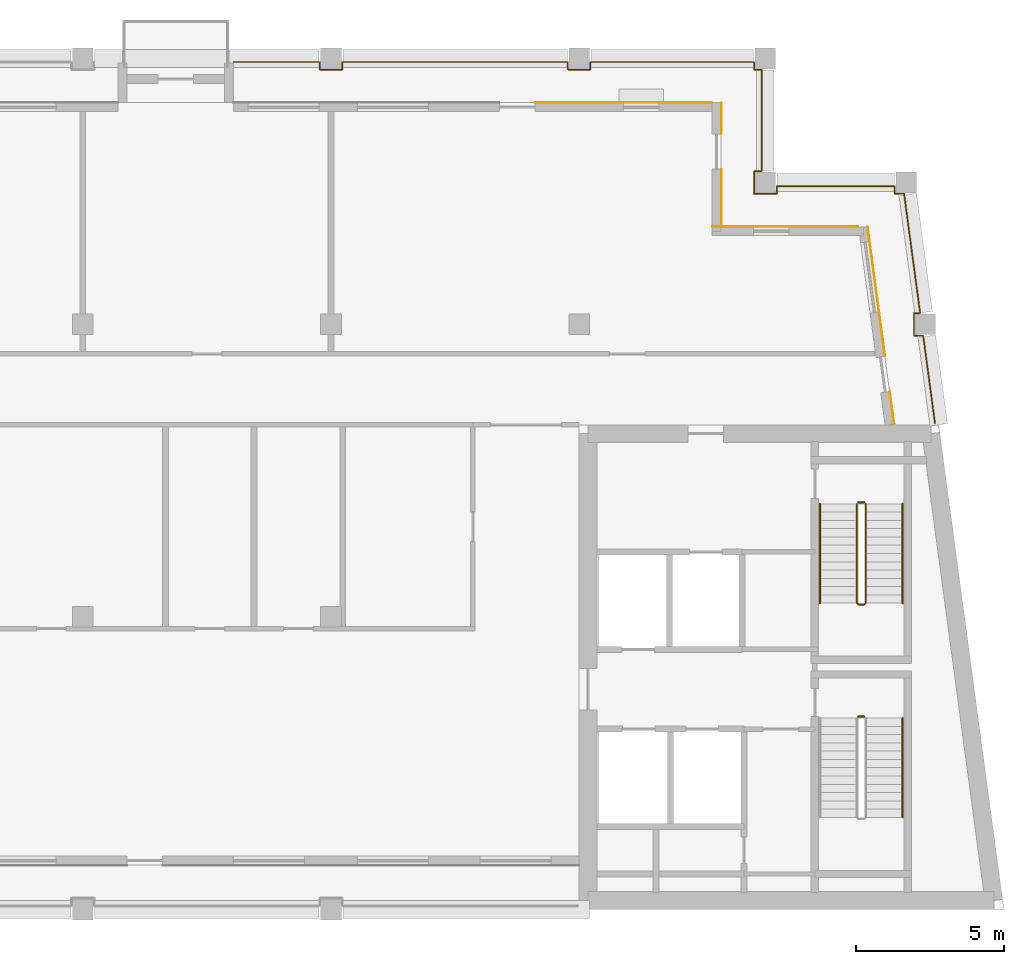
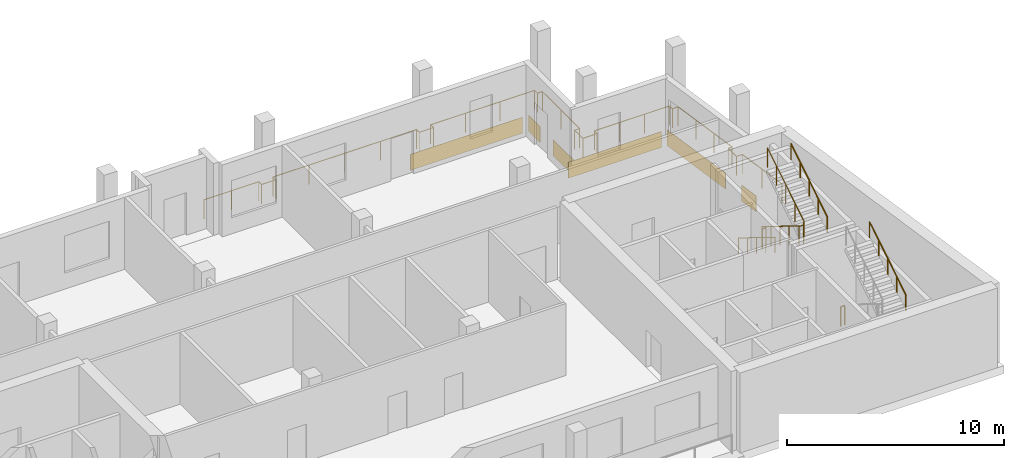
# One storey, part 8 of 9: 7 railings, 6 coverings.
"""IFC4 building model written with IfcOpenShell, lengths in metres."""

import ifcopenshell
import ifcopenshell.guid

model = None  # the IFC model being written
_history = None  # IfcOwnerHistory: only IFC2X3 demands one
_inside = {}  # id of a spatial element -> (the spatial element, [elements in it])
_under = {}  # id of a project, library or spatial element -> (it, [spatial elements below it])
_declared = {}  # id of a project -> (the project, [libraries it declares])
_typed = {}  # id of a type object -> (the type object, [elements of that type])
_made_of = {}  # id of a material, layer set ... -> (it, [elements and type objects made of it])


def new_model(schema):
    """Start an empty IFC model of exactly this schema.

    Asked for "IFC4X3", IfcOpenShell would pick the latest addendum, in which some entities
    have other attributes; the version numbers below select the first issue.
    IFC2X3 requires an IfcOwnerHistory on every rooted entity: one is made here for all.
    """
    global model, _history
    if schema == "IFC4X3":
        model = ifcopenshell.file(schema_version=(4, 3, 0, 0))
    else:
        model = ifcopenshell.file(schema=schema)
    _inside.clear()
    _under.clear()
    _declared.clear()
    _typed.clear()
    _made_of.clear()
    _history = None
    if model.schema == "IFC2X3":
        org = make("IfcOrganization", Name="unknown")
        user = make(
            "IfcPersonAndOrganization",
            ThePerson=make("IfcPerson", FamilyName="unknown"),
            TheOrganization=org,
        )
        app = make(
            "IfcApplication",
            ApplicationDeveloper=org,
            Version="unknown",
            ApplicationFullName="unknown",
            ApplicationIdentifier="unknown",
        )
        _history = make(
            "IfcOwnerHistory",
            OwningUser=user,
            OwningApplication=app,
            ChangeAction="ADDED",
            CreationDate=0,
        )
    return model


def make(cls, **values):
    """One entity of the class cls with the attributes given. An attribute that is None is left unset."""
    return model.create_entity(
        cls, **{name: value for name, value in values.items() if value is not None}
    )


def rooted(cls, **values):
    """An entity with a GlobalId (a new one), such as an element, a storey or a relation."""
    return make(cls, GlobalId=ifcopenshell.guid.new(), OwnerHistory=_history, **values)


def si_unit(unit_type, name, prefix=None):
    """IfcSIUnit, for example si_unit("LENGTHUNIT", "METRE", prefix="MILLI")."""
    return make("IfcSIUnit", UnitType=unit_type, Prefix=prefix, Name=name)


def assignment(units):
    """IfcUnitAssignment: the units of a project."""
    return None if units is None else make("IfcUnitAssignment", Units=units)


def point(xyz):
    """IfcCartesianPoint."""
    return None if xyz is None else make("IfcCartesianPoint", Coordinates=xyz)


def direction(xyz):
    """IfcDirection."""
    return None if xyz is None else make("IfcDirection", DirectionRatios=xyz)


def frame(location, z_axis=None, x_axis=None):
    """IfcAxis2Placement3D, a coordinate frame: its origin and axes. An axis left out is left unset."""
    return make(
        "IfcAxis2Placement3D",
        Location=point(location),
        Axis=direction(z_axis),
        RefDirection=direction(x_axis),
    )


def frame_2d(location, x_axis=None):
    """IfcAxis2Placement2D, a coordinate frame in the plane: its origin and x axis."""
    return make(
        "IfcAxis2Placement2D", Location=point(location), RefDirection=direction(x_axis)
    )


def origin():
    """The frame at (0, 0, 0) with its axes left unset."""
    return frame((0.0, 0.0, 0.0))


def origin_2d():
    """The frame at (0, 0) in the plane with its x axis left unset."""
    return frame_2d((0.0, 0.0))


def place(relative_to, where):
    """IfcLocalPlacement: puts the frame where relative to a parent placement (None: the world)."""
    return make(
        "IfcLocalPlacement", PlacementRelTo=relative_to, RelativePlacement=where
    )


def context(
    kind, dimensions, precision=None, world=None, true_north=None, identifier=None
):
    """IfcGeometricRepresentationContext, for example the 3D "Model" context."""
    return make(
        "IfcGeometricRepresentationContext",
        ContextIdentifier=identifier,
        ContextType=kind,
        CoordinateSpaceDimension=dimensions,
        Precision=precision,
        WorldCoordinateSystem=world,
        TrueNorth=true_north,
    )


def subcontext(parent, identifier, kind, view, scale=None):
    """IfcGeometricRepresentationSubContext, for example "Body" below "Model"."""
    return make(
        "IfcGeometricRepresentationSubContext",
        ContextIdentifier=identifier,
        ContextType=kind,
        ParentContext=parent,
        TargetScale=scale,
        TargetView=view,
    )


def project(units=None, contexts=None):
    """IfcProject with its units and contexts."""
    return rooted(
        "IfcProject",
        Name="project",
        RepresentationContexts=contexts,
        UnitsInContext=assignment(units),
    )


def spatial(cls, under=None, at=None, **own):
    """A site, building, storey or space (cls), placed at a placement, below another one or the project."""
    s = rooted(cls, ObjectPlacement=at, **own)
    if under is not None:
        _under.setdefault(under.id(), (under, []))[1].append(s)
    return s


def profile(cls, at=None, kind="AREA", **sizes):
    """A parametric profile (cls). Its sizes go by their IFC names, for example OverallWidth=200.0."""
    return make(cls, ProfileType=kind, Position=at, **sizes)


def rectangle(**sizes):
    """IfcRectangleProfileDef."""
    return profile("IfcRectangleProfileDef", **sizes)


def circle(**sizes):
    """IfcCircleProfileDef."""
    return profile("IfcCircleProfileDef", **sizes)


def extrude(swept, where, along, depth):
    """IfcExtrudedAreaSolid: the profile swept, set in the frame where, extruded along a direction by depth."""
    return make(
        "IfcExtrudedAreaSolid",
        SweptArea=swept,
        Position=where,
        ExtrudedDirection=direction(along),
        Depth=depth,
    )


def shape(context_of_items, identifier, shape_type, items):
    """IfcShapeRepresentation: the items that make up one representation, for example the "Body"."""
    return make(
        "IfcShapeRepresentation",
        ContextOfItems=context_of_items,
        RepresentationIdentifier=identifier,
        RepresentationType=shape_type,
        Items=items,
    )


def material(Name=None, Category=None):
    """IfcMaterial."""
    return make("IfcMaterial", Name=Name, Category=Category)


def layer(
    of_material, thickness, ventilated=None, Name=None, Category=None, Priority=None
):
    """IfcMaterialLayer: one layer of a wall or slab, of a material (None: an air gap)."""
    return make(
        "IfcMaterialLayer",
        Material=of_material,
        LayerThickness=thickness,
        IsVentilated=ventilated,
        Name=Name,
        Category=Category,
        Priority=Priority,
    )


def layer_set(layers, Name=None):
    """IfcMaterialLayerSet."""
    return make("IfcMaterialLayerSet", MaterialLayers=layers, LayerSetName=Name)


def made_of(thing, what):
    """Note that an element or type object is made of a material, layer set ...; save() writes the relation."""
    if what is not None:
        _made_of.setdefault(what.id(), (what, []))[1].append(thing)
    return thing


def type_object(cls, material=None, **own):
    """A type object (cls), such as IfcWallType, which elements share."""
    return made_of(rooted(cls, **own), material)


def element(
    cls,
    number,
    at=None,
    inside=None,
    cuts=None,
    type_object=None,
    material=None,
    context=None,
    identifier="Body",
    shape_type=None,
    held_by="IfcProductDefinitionShape",
    body=None,
    shapes=None,
    **own,
):
    """One element of the class cls, such as IfcWall. Its Tag is "e" and its number.

    at: its placement. inside: the storey or other place that contains it. cuts: it is an
    opening in that element (IfcRelVoidsElement). A single representation is given by context,
    identifier, shape_type and body (its items); several are given by shapes. held_by: the class
    of the entity that holds the representations. save() writes the other relations.
    """
    e = rooted(cls, Tag="e%d" % number, ObjectPlacement=at, **own)
    if body is not None:
        shapes = [shape(context, identifier, shape_type, body)]
    if shapes is not None:
        e.Representation = make(held_by, Representations=shapes)
    if inside is not None:
        _inside.setdefault(inside.id(), (inside, []))[1].append(e)
    if cuts is not None:
        rooted(
            "IfcRelVoidsElement", RelatingBuildingElement=cuts, RelatedOpeningElement=e
        )
    if type_object is not None:
        _typed.setdefault(type_object.id(), (type_object, []))[1].append(e)
    return made_of(e, material)


def aggregate(whole, parts):
    """IfcRelAggregates: a whole, such as a stair, and the parts it consists of."""
    return rooted("IfcRelAggregates", RelatingObject=whole, RelatedObjects=parts)


def save(model, path):
    """Write the relations noted so far, then the file.

    IfcRelAggregates (storeys below a building ...), IfcRelContainedInSpatialStructure (elements
    in a storey), IfcRelDefinesByType, IfcRelAssociatesMaterial and IfcRelDeclares: one each for
    every whole, place, type object, material and project.
    """
    for whole, parts in _under.values():
        aggregate(whole, parts)
    for where, things in _inside.values():
        rooted(
            "IfcRelContainedInSpatialStructure",
            RelatedElements=things,
            RelatingStructure=where,
        )
    for kind, things in _typed.values():
        rooted("IfcRelDefinesByType", RelatedObjects=things, RelatingType=kind)
    for what, things in _made_of.values():
        rooted("IfcRelAssociatesMaterial", RelatedObjects=things, RelatingMaterial=what)
    for by, libraries in _declared.values():
        rooted("IfcRelDeclares", RelatingContext=by, RelatedDefinitions=libraries)
    model.write(path)


model = new_model("IFC4")

# Units and contexts
model_context = context("Model", 3, precision=1e-05, world=origin(), true_north=direction((0.0, 1.0)))
body_context = subcontext(model_context, "Body", "Model", "MODEL_VIEW")
ifc_project = project(units=[si_unit("LENGTHUNIT", "METRE"), si_unit("AREAUNIT", "SQUARE_METRE"), si_unit("VOLUMEUNIT", "CUBIC_METRE"), si_unit("PLANEANGLEUNIT", "RADIAN"), si_unit("MASSUNIT", "GRAM", prefix="KILO")], contexts=[model_context])

# Site, building, storey
site_placement = place(None, origin())
site = spatial("IfcSite", under=ifc_project, at=site_placement, CompositionType="ELEMENT")
building_placement = place(site_placement, origin())
building = spatial("IfcBuilding", under=site, at=building_placement, Name="Candeia Pilgrim Tower and Theatre", CompositionType="ELEMENT")
storey_placement = place(building_placement, frame((0.0, 0.0, 303.39990234375)))
storey = spatial("IfcBuildingStorey", under=building, at=storey_placement, Name="L74", CompositionType="ELEMENT", Elevation=303.39990234375)

# Railing
ifc_material_1 = material(Name="Stainless steel balustrade", Category="steel")
railing_type_1 = type_object("IfcRailingType", Name="G1 loggia guard 1100", PredefinedType="GUARDRAIL", material=ifc_material_1)
railing_1_placement = place(storey_placement, frame((114.300048828125, 144.679931640625, 0.0)))
element("IfcRailing", 1, at=railing_1_placement, inside=storey, type_object=railing_type_1, Name="Guard L74.2", PredefinedType="GUARDRAIL", context=body_context, shape_type="SweptSolid", body=[
    extrude(circle(Radius=0.02392578125, at=origin_2d()), frame((0.0, 0.0, 1.076171875), z_axis=(1.0, 0.0, 0.0), x_axis=(0.0, 1.0, 0.0)), (0.0, 0.0, 1.0), 2.919921875),
    extrude(circle(Radius=0.02392578125, at=origin_2d()), frame((2.919921875, 0.0, 1.076171875), z_axis=(0.0, -1.0, 0.0), x_axis=(1.0, 0.0, 0.0)), (0.0, 0.0, 1.0), 0.260009765625),
    extrude(circle(Radius=0.02392578125, at=origin_2d()), frame((2.919921875, -0.260009765625, 1.076171875), z_axis=(1.0, 0.0, 0.0), x_axis=(0.0, 1.0, 0.0)), (0.0, 0.0, 1.0), 0.760009765625),
    extrude(circle(Radius=0.02392578125, at=origin_2d()), frame((3.679931640625, -0.260009765625, 1.076171875), z_axis=(0.0, 1.0, 0.0), x_axis=(-1.0, 0.0, 0.0)), (0.0, 0.0, 1.0), 0.260009765625),
    extrude(circle(Radius=0.02392578125, at=origin_2d()), frame((3.679931640625, 0.0, 1.076171875), z_axis=(1.0, 0.0, 0.0), x_axis=(0.0, 1.0, 0.0)), (0.0, 0.0, 1.0), 7.64013671875),
    extrude(circle(Radius=0.02392578125, at=origin_2d()), frame((11.320068359375, 0.0, 1.076171875), z_axis=(0.0, -1.0, 0.0), x_axis=(1.0, 0.0, 0.0)), (0.0, 0.0, 1.0), 0.260009765625),
    extrude(circle(Radius=0.02392578125, at=origin_2d()), frame((11.320068359375, -0.260009765625, 1.076171875), z_axis=(1.0, 0.0, 0.0), x_axis=(0.0, 1.0, 0.0)), (0.0, 0.0, 1.0), 0.759765625),
    extrude(circle(Radius=0.02392578125, at=origin_2d()), frame((12.079833984375, -0.260009765625, 1.076171875), z_axis=(0.0, 1.0, 0.0), x_axis=(-1.0, 0.0, 0.0)), (0.0, 0.0, 1.0), 0.260009765625),
    extrude(circle(Radius=0.02392578125, at=origin_2d()), frame((12.079833984375, 0.0, 1.076171875), z_axis=(1.0, 0.0, 0.0), x_axis=(0.0, 1.0, 0.0)), (0.0, 0.0, 1.0), 5.5400390625),
    extrude(circle(Radius=0.02392578125, at=origin_2d()), frame((17.619873046875, 0.0, 1.076171875), z_axis=(0.0, -1.0, 0.0), x_axis=(1.0, 0.0, 0.0)), (0.0, 0.0, 1.0), 0.260009765625),
    extrude(circle(Radius=0.02392578125, at=origin_2d()), frame((17.619873046875, -0.260009765625, 1.076171875), z_axis=(1.0, 0.0, 0.0), x_axis=(0.0, 1.0, 0.0)), (0.0, 0.0, 1.0), 0.260009765625),
    extrude(circle(Radius=0.02392578125, at=origin_2d()), frame((17.8798828125, -0.260009765625, 1.076171875), z_axis=(0.0, -1.0, 0.0), x_axis=(1.0, 0.0, 0.0)), (0.0, 0.0, 1.0), 3.43994140625),
    extrude(circle(Radius=0.02392578125, at=origin_2d()), frame((17.8798828125, -3.699951171875, 1.076171875), z_axis=(-1.0, 0.0, 0.0), x_axis=(0.0, -1.0, 0.0)), (0.0, 0.0, 1.0), 0.260009765625),
    extrude(circle(Radius=0.02392578125, at=origin_2d()), frame((17.619873046875, -3.699951171875, 1.076171875), z_axis=(0.0, -1.0, 0.0), x_axis=(1.0, 0.0, 0.0)), (0.0, 0.0, 1.0), 0.760009765625),
    extrude(circle(Radius=0.02392578125, at=origin_2d()), frame((17.619873046875, -4.4599609375, 1.076171875), z_axis=(1.0, 0.0, 0.0), x_axis=(0.0, 1.0, 0.0)), (0.0, 0.0, 1.0), 0.760009765625),
    extrude(circle(Radius=0.02392578125, at=origin_2d()), frame((18.3798828125, -4.4599609375, 1.076171875), z_axis=(0.0, 1.0, 0.0), x_axis=(-1.0, 0.0, 0.0)), (0.0, 0.0, 1.0), 0.260009765625),
    extrude(circle(Radius=0.02392578125, at=origin_2d()), frame((18.3798828125, -4.199951171875, 1.076171875), z_axis=(1.0, 0.0, 0.0), x_axis=(0.0, 1.0, 0.0)), (0.0, 0.0, 1.0), 4.00537109375),
    extrude(circle(Radius=0.02392578125, at=origin_2d()), frame((22.38525390625, -4.199951171875, 1.076171875), z_axis=(0.0, -1.0, 0.0), x_axis=(1.0, 0.0, 0.0)), (0.0, 0.0, 1.0), 0.260009765625),
    extrude(circle(Radius=0.02392578125, at=origin_2d()), frame((22.38525390625, -4.4599609375, 1.076171875), z_axis=(1.0, 0.0, 0.0), x_axis=(0.0, 1.0, 0.0)), (0.0, 0.0, 1.0), 0.31005859375),
    extrude(circle(Radius=0.02392578125, at=origin_2d()), frame((22.6953125, -4.4599609375, 1.076171875), z_axis=(0.133434636686, -0.991057615748, 0.0), x_axis=(0.991057615748, 0.133434636686, 0.0)), (0.0, 0.0, 1.0), 4.076416015625),
    extrude(circle(Radius=0.02392578125, at=origin_2d()), frame((23.2392578125, -8.5, 1.076171875), z_axis=(-1.0, 0.0, 0.0), x_axis=(0.0, -1.0, 0.0)), (0.0, 0.0, 1.0), 0.207763671875),
    extrude(circle(Radius=0.02392578125, at=origin_2d()), frame((23.031494140625, -8.5, 1.076171875), z_axis=(0.0, -1.0, 0.0), x_axis=(1.0, 0.0, 0.0)), (0.0, 0.0, 1.0), 0.760009765625),
    extrude(circle(Radius=0.02392578125, at=origin_2d()), frame((23.031494140625, -9.260009765625, 1.076171875), z_axis=(1.0, 0.0, 0.0), x_axis=(0.0, 1.0, 0.0)), (0.0, 0.0, 1.0), 0.31005859375),
    extrude(circle(Radius=0.02392578125, at=origin_2d()), frame((23.341552734375, -9.260009765625, 1.076171875), z_axis=(0.133444326958, -0.991056311015, 0.0), x_axis=(0.991056311015, 0.133444326958, 0.0)), (0.0, 0.0, 1.0), 2.996826171875),
    extrude(circle(Radius=0.02099609375, at=origin_2d()), origin(), (0.0, 0.0, 1.0), 1.052001953125),
    extrude(circle(Radius=0.02099609375, at=origin_2d()), frame((1.4599609375, 0.0, 0.0)), (0.0, 0.0, 1.0), 1.052001953125),
    extrude(circle(Radius=0.02099609375, at=origin_2d()), frame((2.919921875, 0.0, 0.0)), (0.0, 0.0, 1.0), 1.052001953125),
    extrude(circle(Radius=0.02099609375, at=origin_2d()), frame((2.919921875, -0.260009765625, 0.0)), (0.0, 0.0, 1.0), 1.052001953125),
    extrude(circle(Radius=0.02099609375, at=origin_2d()), frame((3.679931640625, -0.260009765625, 0.0)), (0.0, 0.0, 1.0), 1.052001953125),
    extrude(circle(Radius=0.02099609375, at=origin_2d()), frame((3.679931640625, 0.0, 0.0)), (0.0, 0.0, 1.0), 1.052001953125),
    extrude(circle(Radius=0.02099609375, at=origin_2d()), frame((5.58984375, 0.0, 0.0)), (0.0, 0.0, 1.0), 1.052001953125),
    extrude(circle(Radius=0.02099609375, at=origin_2d()), frame((7.5, 0.0, 0.0)), (0.0, 0.0, 1.0), 1.052001953125),
    extrude(circle(Radius=0.02099609375, at=origin_2d()), frame((9.41015625, 0.0, 0.0)), (0.0, 0.0, 1.0), 1.052001953125),
    extrude(circle(Radius=0.02099609375, at=origin_2d()), frame((11.320068359375, 0.0, 0.0)), (0.0, 0.0, 1.0), 1.052001953125),
    extrude(circle(Radius=0.02099609375, at=origin_2d()), frame((11.320068359375, -0.260009765625, 0.0)), (0.0, 0.0, 1.0), 1.052001953125),
    extrude(circle(Radius=0.02099609375, at=origin_2d()), frame((12.079833984375, -0.260009765625, 0.0)), (0.0, 0.0, 1.0), 1.052001953125),
    extrude(circle(Radius=0.02099609375, at=origin_2d()), frame((12.079833984375, 0.0, 0.0)), (0.0, 0.0, 1.0), 1.052001953125),
    extrude(circle(Radius=0.02099609375, at=origin_2d()), frame((13.926513671875, 0.0, 0.0)), (0.0, 0.0, 1.0), 1.052001953125),
    extrude(circle(Radius=0.02099609375, at=origin_2d()), frame((15.773193359375, 0.0, 0.0)), (0.0, 0.0, 1.0), 1.052001953125),
    extrude(circle(Radius=0.02099609375, at=origin_2d()), frame((17.619873046875, 0.0, 0.0)), (0.0, 0.0, 1.0), 1.052001953125),
    extrude(circle(Radius=0.02099609375, at=origin_2d()), frame((17.619873046875, -0.260009765625, 0.0)), (0.0, 0.0, 1.0), 1.052001953125),
    extrude(circle(Radius=0.02099609375, at=origin_2d()), frame((17.8798828125, -0.260009765625, 0.0)), (0.0, 0.0, 1.0), 1.052001953125),
    extrude(circle(Radius=0.02099609375, at=origin_2d()), frame((17.8798828125, -1.97998046875, 0.0)), (0.0, 0.0, 1.0), 1.052001953125),
    extrude(circle(Radius=0.02099609375, at=origin_2d()), frame((17.8798828125, -3.699951171875, 0.0)), (0.0, 0.0, 1.0), 1.052001953125),
    extrude(circle(Radius=0.02099609375, at=origin_2d()), frame((17.619873046875, -3.699951171875, 0.0)), (0.0, 0.0, 1.0), 1.052001953125),
    extrude(circle(Radius=0.02099609375, at=origin_2d()), frame((17.619873046875, -4.4599609375, 0.0)), (0.0, 0.0, 1.0), 1.052001953125),
    extrude(circle(Radius=0.02099609375, at=origin_2d()), frame((18.3798828125, -4.4599609375, 0.0)), (0.0, 0.0, 1.0), 1.052001953125),
    extrude(circle(Radius=0.02099609375, at=origin_2d()), frame((18.3798828125, -4.199951171875, 0.0)), (0.0, 0.0, 1.0), 1.052001953125),
    extrude(circle(Radius=0.02099609375, at=origin_2d()), frame((19.715087890625, -4.199951171875, 0.0)), (0.0, 0.0, 1.0), 1.052001953125),
    extrude(circle(Radius=0.02099609375, at=origin_2d()), frame((21.050048828125, -4.199951171875, 0.0)), (0.0, 0.0, 1.0), 1.052001953125),
    extrude(circle(Radius=0.02099609375, at=origin_2d()), frame((22.38525390625, -4.199951171875, 0.0)), (0.0, 0.0, 1.0), 1.052001953125),
    extrude(circle(Radius=0.02099609375, at=origin_2d()), frame((22.38525390625, -4.4599609375, 0.0)), (0.0, 0.0, 1.0), 1.052001953125),
    extrude(circle(Radius=0.02099609375, at=origin_2d()), frame((22.6953125, -4.4599609375, 0.0)), (0.0, 0.0, 1.0), 1.052001953125),
    extrude(circle(Radius=0.02099609375, at=origin_2d()), frame((22.876708984375, -5.806640625, 0.0)), (0.0, 0.0, 1.0), 1.052001953125),
    extrude(circle(Radius=0.02099609375, at=origin_2d()), frame((23.057861328125, -7.1533203125, 0.0)), (0.0, 0.0, 1.0), 1.052001953125),
    extrude(circle(Radius=0.02099609375, at=origin_2d()), frame((23.2392578125, -8.5, 0.0)), (0.0, 0.0, 1.0), 1.052001953125),
    extrude(circle(Radius=0.02099609375, at=origin_2d()), frame((23.031494140625, -8.5, 0.0)), (0.0, 0.0, 1.0), 1.052001953125),
    extrude(circle(Radius=0.02099609375, at=origin_2d()), frame((23.031494140625, -9.260009765625, 0.0)), (0.0, 0.0, 1.0), 1.052001953125),
    extrude(circle(Radius=0.02099609375, at=origin_2d()), frame((23.341552734375, -9.260009765625, 0.0)), (0.0, 0.0, 1.0), 1.052001953125),
    extrude(circle(Radius=0.02099609375, at=origin_2d()), frame((23.54150390625, -10.7451171875, 0.0)), (0.0, 0.0, 1.0), 1.052001953125),
    extrude(circle(Radius=0.02099609375, at=origin_2d()), frame((23.741455078125, -12.22998046875, 0.0)), (0.0, 0.0, 1.0), 1.052001953125),
])

# Coverings
ifc_material_2 = material(Name="Glazed ceramic tile bottle green")
ifc_layer = layer(ifc_material_2, 0.02001953125)
ifc_layer_set = layer_set([ifc_layer], Name="Glazed ceramic tile bottle green")
covering_type = type_object("IfcCoveringType", Name="Glazed ceramic tile bottle green", PredefinedType="CLADDING", material=ifc_layer_set)
covering_1_placement = place(storey_placement, frame((136.588623046875, 132.97412109375, 0.000244140625), z_axis=(0.0, 0.0, 1.0), x_axis=(-0.133412012145, 0.991060661622, 0.0)))
element("IfcCovering", 2, at=covering_1_placement, inside=storey, type_object=covering_type, Name="Tile cladding bottle green L74", PredefinedType="CLADDING", context=body_context, shape_type="SweptSolid", body=[
    extrude(rectangle(XDim=1.115234375, YDim=0.02001953125, at=origin_2d()), origin(), (0.0, 0.0, 1.0), 0.89990234375),
])
covering_2_placement = place(storey_placement, frame((136.058837890625, 136.90869140625, 0.000244140625), z_axis=(0.0, 0.0, 1.0), x_axis=(-0.133412012145, 0.991060661622, 0.0)))
element("IfcCovering", 3, at=covering_2_placement, inside=storey, type_object=covering_type, Name="Tile cladding bottle green L74", PredefinedType="CLADDING", context=body_context, shape_type="SweptSolid", body=[
    extrude(rectangle(XDim=4.4248046875, YDim=0.02001953125, at=origin_2d()), origin(), (0.0, 0.0, 1.0), 0.89990234375),
])
covering_3_placement = place(storey_placement, frame((132.976318359375, 139.110107421875, 0.000244140625), z_axis=(0.0, 0.0, 1.0), x_axis=(-1.0, 0.0, 0.0)))
element("IfcCovering", 4, at=covering_3_placement, inside=storey, type_object=covering_type, Name="Tile cladding bottle green L74", PredefinedType="CLADDING", context=body_context, shape_type="SweptSolid", body=[
    extrude(rectangle(XDim=4.95263671875, YDim=0.02001953125, at=origin_2d()), origin(), (0.0, 0.0, 1.0), 0.89990234375),
])
covering_4_placement = place(storey_placement, frame((130.81005859375, 140.0849609375, 0.000244140625), z_axis=(0.0, 0.0, 1.0), x_axis=(0.0, 1.0, 0.0)))
element("IfcCovering", 5, at=covering_4_placement, inside=storey, type_object=covering_type, Name="Tile cladding bottle green L74", PredefinedType="CLADDING", context=body_context, shape_type="SweptSolid", body=[
    extrude(rectangle(XDim=1.929931640625, YDim=0.02001953125, at=origin_2d()), origin(), (0.0, 0.0, 1.0), 0.89990234375),
])
covering_5_placement = place(storey_placement, frame((130.81005859375, 142.77490234375, 0.000244140625), z_axis=(0.0, 0.0, 1.0), x_axis=(0.0, 1.0, 0.0)))
element("IfcCovering", 6, at=covering_5_placement, inside=storey, type_object=covering_type, Name="Tile cladding bottle green L74", PredefinedType="CLADDING", context=body_context, shape_type="SweptSolid", body=[
    extrude(rectangle(XDim=1.050048828125, YDim=0.02001953125, at=origin_2d()), origin(), (0.0, 0.0, 1.0), 0.89990234375),
])
covering_6_placement = place(storey_placement, frame((127.489990234375, 143.31005859375, 0.000244140625), z_axis=(0.0, 0.0, 1.0), x_axis=(-1.0, 0.0, 0.0)))
element("IfcCovering", 7, at=covering_6_placement, inside=storey, type_object=covering_type, Name="Tile cladding bottle green L74", PredefinedType="CLADDING", context=body_context, shape_type="SweptSolid", body=[
    extrude(rectangle(XDim=5.97998046875, YDim=0.02001953125, at=origin_2d()), origin(), (0.0, 0.0, 1.0), 0.89990234375),
])

# Railings
railing_type_2 = type_object("IfcRailingType", Name="RL-GUARD-1100", PredefinedType="GUARDRAIL", material=ifc_material_1)
railing_2_placement = place(storey_placement, frame((135.447998046875, 122.52490234375, 0.0)))
element("IfcRailing", 8, at=railing_2_placement, inside=storey, type_object=railing_type_2, Name="L74 ST3 stair guard 2", PredefinedType="GUARDRAIL", context=body_context, shape_type="SweptSolid", body=[
    extrude(circle(Radius=0.02392578125, at=origin_2d()), frame((0.0, 0.0, 1.076171875), z_axis=(1.0, 0.0, 0.0), x_axis=(0.0, 1.0, 0.0)), (0.0, 0.0, 1.0), 0.199951171875),
    extrude(circle(Radius=0.02099609375, at=origin_2d()), origin(), (0.0, 0.0, 1.0), 1.052001953125),
    extrude(circle(Radius=0.02099609375, at=origin_2d()), frame((0.199951171875, 0.0, 0.0)), (0.0, 0.0, 1.0), 1.052001953125),
])
railing_3_placement = place(storey_placement, frame((135.39794921875, 129.72509765625, 0.173095703125)))
element("IfcRailing", 9, at=railing_3_placement, inside=storey, type_object=railing_type_2, Name="L74 ST4 stair guard 1", PredefinedType="GUARDRAIL", context=body_context, shape_type="SweptSolid", body=[
    extrude(circle(Radius=0.02392578125, at=origin_2d()), frame((0.0, 0.0, 1.076171875), z_axis=(0.0, -0.850623216509, 0.525775754039), x_axis=(1.0, 0.0, 0.0)), (0.0, 0.0, 1.0), 3.9501953125),
    extrude(circle(Radius=0.02392578125, at=origin_2d()), frame((0.0, -3.360107421875, 3.15283203125), z_axis=(0.707106781187, -0.707106781187, 0.0), x_axis=(0.707106781187, 0.707106781187, 0.0)), (0.0, 0.0, 1.0), 0.07080078125),
    extrude(circle(Radius=0.02392578125, at=origin_2d()), frame((0.050048828125, -3.41015625, 3.15283203125), z_axis=(1.0, 0.0, 0.0), x_axis=(0.0, 1.0, 0.0)), (0.0, 0.0, 1.0), 0.199951171875),
    extrude(circle(Radius=0.02392578125, at=origin_2d()), frame((0.25, -3.41015625, 3.15283203125), z_axis=(0.267629722418, 0.267629722418, 0.925607186314), x_axis=(-0.707106781187, 0.707106781187, 0.0)), (0.0, 0.0, 1.0), 0.18701171875),
    extrude(circle(Radius=0.02392578125, at=origin_2d()), frame((0.300048828125, -3.360107421875, 3.326171875), z_axis=(0.0, 0.850623216509, 0.525775754039), x_axis=(-1.0, 0.0, 0.0)), (0.0, 0.0, 1.0), 3.9501953125),
    extrude(circle(Radius=0.02099609375, at=origin_2d()), origin(), (0.0, 0.0, 1.0), 1.052001953125),
    extrude(circle(Radius=0.02099609375, at=origin_2d()), frame((0.0, -0.840087890625, 0.519287109375)), (0.0, 0.0, 1.0), 1.052001953125),
    extrude(circle(Radius=0.02099609375, at=origin_2d()), frame((0.0, -1.68017578125, 1.03857421875)), (0.0, 0.0, 1.0), 1.052001953125),
    extrude(circle(Radius=0.02099609375, at=origin_2d()), frame((0.0, -2.52001953125, 1.5576171875)), (0.0, 0.0, 1.0), 1.052001953125),
    extrude(circle(Radius=0.02099609375, at=origin_2d()), frame((0.0, -3.360107421875, 2.076904296875)), (0.0, 0.0, 1.0), 1.052001953125),
    extrude(circle(Radius=0.02099609375, at=origin_2d()), frame((0.050048828125, -3.41015625, 2.076904296875)), (0.0, 0.0, 1.0), 1.052001953125),
    extrude(circle(Radius=0.02099609375, at=origin_2d()), frame((0.25, -3.41015625, 2.076904296875)), (0.0, 0.0, 1.0), 1.052001953125),
    extrude(circle(Radius=0.02099609375, at=origin_2d()), frame((0.300048828125, -3.360107421875, 2.25)), (0.0, 0.0, 1.0), 1.052001953125),
    extrude(circle(Radius=0.02099609375, at=origin_2d()), frame((0.300048828125, -2.52001953125, 2.769287109375)), (0.0, 0.0, 1.0), 1.052001953125),
    extrude(circle(Radius=0.02099609375, at=origin_2d()), frame((0.300048828125, -1.68017578125, 3.28857421875)), (0.0, 0.0, 1.0), 1.052001953125),
    extrude(circle(Radius=0.02099609375, at=origin_2d()), frame((0.300048828125, -0.840087890625, 3.8076171875)), (0.0, 0.0, 1.0), 1.052001953125),
    extrude(circle(Radius=0.02099609375, at=origin_2d()), frame((0.300048828125, 0.0, 4.326904296875)), (0.0, 0.0, 1.0), 1.052001953125),
])
railing_4_placement = place(storey_placement, frame((135.447998046875, 129.77490234375, 0.0)))
element("IfcRailing", 10, at=railing_4_placement, inside=storey, type_object=railing_type_2, Name="L74 ST4 stair guard 2", PredefinedType="GUARDRAIL", context=body_context, shape_type="SweptSolid", body=[
    extrude(circle(Radius=0.02392578125, at=origin_2d()), frame((0.0, 0.0, 1.076171875), z_axis=(1.0, 0.0, 0.0), x_axis=(0.0, 1.0, 0.0)), (0.0, 0.0, 1.0), 0.199951171875),
    extrude(circle(Radius=0.02099609375, at=origin_2d()), origin(), (0.0, 0.0, 1.0), 1.052001953125),
    extrude(circle(Radius=0.02099609375, at=origin_2d()), frame((0.199951171875, 0.0, 0.0)), (0.0, 0.0, 1.0), 1.052001953125),
])
ifc_material_3 = material(Name="Stainless steel handrail", Category="steel")
railing_type_3 = type_object("IfcRailingType", Name="RL-HANDRAIL-900", PredefinedType="HANDRAIL", material=ifc_material_3)
railing_5_placement = place(storey_placement, frame((136.947998046875, 119.114990234375, 2.423095703125)))
element("IfcRailing", 11, at=railing_5_placement, inside=storey, type_object=railing_type_3, Name="L74 ST3 stair handrail 2", PredefinedType="HANDRAIL", context=body_context, shape_type="SweptSolid", body=[
    extrude(circle(Radius=0.02392578125, at=origin_2d()), frame((0.0, 0.0, 0.8759765625), z_axis=(0.0, 0.850623216509, 0.525775754039), x_axis=(-1.0, 0.0, 0.0)), (0.0, 0.0, 1.0), 3.9501953125),
    extrude(circle(Radius=0.02099609375, at=origin_2d()), origin(), (0.0, 0.0, 1.0), 0.851806640625),
    extrude(circle(Radius=0.02099609375, at=origin_2d()), frame((0.0, 0.840087890625, 0.519287109375)), (0.0, 0.0, 1.0), 0.851806640625),
    extrude(circle(Radius=0.02099609375, at=origin_2d()), frame((0.0, 1.68017578125, 1.03857421875)), (0.0, 0.0, 1.0), 0.851806640625),
    extrude(circle(Radius=0.02099609375, at=origin_2d()), frame((0.0, 2.52001953125, 1.5576171875)), (0.0, 0.0, 1.0), 0.851806640625),
    extrude(circle(Radius=0.02099609375, at=origin_2d()), frame((0.0, 3.360107421875, 2.076904296875)), (0.0, 0.0, 1.0), 0.851806640625),
])
railing_6_placement = place(storey_placement, frame((134.14794921875, 129.72509765625, 0.173095703125)))
element("IfcRailing", 12, at=railing_6_placement, inside=storey, type_object=railing_type_3, Name="L74 ST4 stair handrail 1", PredefinedType="HANDRAIL", context=body_context, shape_type="SweptSolid", body=[
    extrude(circle(Radius=0.02392578125, at=origin_2d()), frame((0.0, 0.0, 0.8759765625), z_axis=(0.0, -0.850623216509, 0.525775754039), x_axis=(1.0, 0.0, 0.0)), (0.0, 0.0, 1.0), 3.9501953125),
    extrude(circle(Radius=0.02099609375, at=origin_2d()), origin(), (0.0, 0.0, 1.0), 0.851806640625),
    extrude(circle(Radius=0.02099609375, at=origin_2d()), frame((0.0, -0.840087890625, 0.519287109375)), (0.0, 0.0, 1.0), 0.851806640625),
    extrude(circle(Radius=0.02099609375, at=origin_2d()), frame((0.0, -1.68017578125, 1.03857421875)), (0.0, 0.0, 1.0), 0.851806640625),
    extrude(circle(Radius=0.02099609375, at=origin_2d()), frame((0.0, -2.52001953125, 1.5576171875)), (0.0, 0.0, 1.0), 0.851806640625),
    extrude(circle(Radius=0.02099609375, at=origin_2d()), frame((0.0, -3.360107421875, 2.076904296875)), (0.0, 0.0, 1.0), 0.851806640625),
])
railing_7_placement = place(storey_placement, frame((136.947998046875, 126.364990234375, 2.423095703125)))
element("IfcRailing", 13, at=railing_7_placement, inside=storey, type_object=railing_type_3, Name="L74 ST4 stair handrail 2", PredefinedType="HANDRAIL", context=body_context, shape_type="SweptSolid", body=[
    extrude(circle(Radius=0.02392578125, at=origin_2d()), frame((0.0, 0.0, 0.8759765625), z_axis=(0.0, 0.850623216509, 0.525775754039), x_axis=(-1.0, 0.0, 0.0)), (0.0, 0.0, 1.0), 3.9501953125),
    extrude(circle(Radius=0.02099609375, at=origin_2d()), origin(), (0.0, 0.0, 1.0), 0.851806640625),
    extrude(circle(Radius=0.02099609375, at=origin_2d()), frame((0.0, 0.840087890625, 0.519287109375)), (0.0, 0.0, 1.0), 0.851806640625),
    extrude(circle(Radius=0.02099609375, at=origin_2d()), frame((0.0, 1.68017578125, 1.03857421875)), (0.0, 0.0, 1.0), 0.851806640625),
    extrude(circle(Radius=0.02099609375, at=origin_2d()), frame((0.0, 2.52001953125, 1.5576171875)), (0.0, 0.0, 1.0), 0.851806640625),
    extrude(circle(Radius=0.02099609375, at=origin_2d()), frame((0.0, 3.360107421875, 2.076904296875)), (0.0, 0.0, 1.0), 0.851806640625),
])

save(model, "model.ifc")
